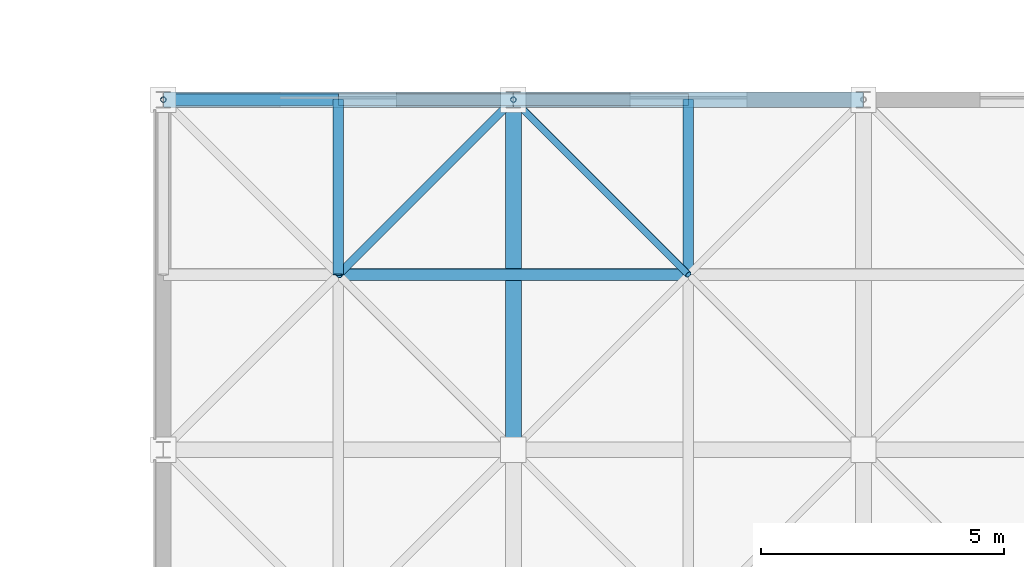
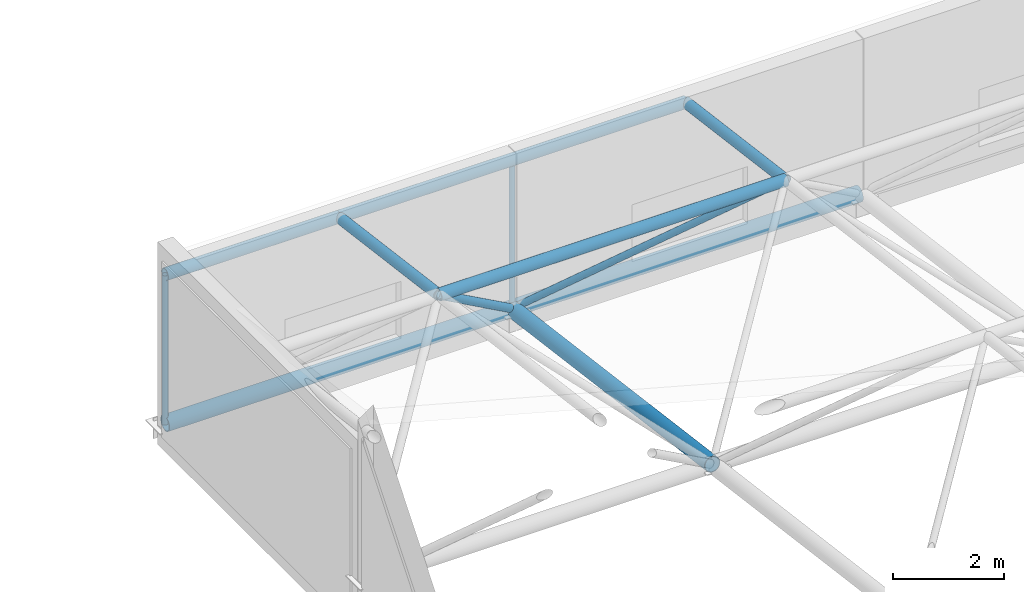
# One storey, part 39 of 103: 12 members.
"""IFC4 building model written with IfcOpenShell, lengths in metres."""

from ifc_helpers import new_model, si_unit, direction, frame, origin, origin_2d, place, context, subcontext, project, spatial, hollow_circle, extrude, material, material_profile, profile_set, type_object, element, save


model = new_model("IFC4")

# Units and contexts
model_context = context("Model", 3, precision=1e-05, world=origin(), true_north=direction((0.0, 1.0)))
body_context = subcontext(model_context, "Body", "Model", "MODEL_VIEW")
ifc_project = project(units=[si_unit("LENGTHUNIT", "METRE"), si_unit("AREAUNIT", "SQUARE_METRE"), si_unit("VOLUMEUNIT", "CUBIC_METRE"), si_unit("PLANEANGLEUNIT", "RADIAN"), si_unit("MASSUNIT", "GRAM", prefix="KILO")], contexts=[model_context])

# Site, building, storey
site_placement = place(None, origin())
site = spatial("IfcSite", under=ifc_project, at=site_placement, CompositionType="ELEMENT")
building_placement = place(site_placement, origin())
building = spatial("IfcBuilding", under=site, at=building_placement, Name="Thalmaran Polytechnic", CompositionType="ELEMENT")
storey_placement = place(building_placement, frame((0.0, 0.0, 14.39990234375)))
storey = spatial("IfcBuildingStorey", under=building, at=storey_placement, Name="L03", CompositionType="ELEMENT", Elevation=14.39990234375)

# Members
ifc_material = material(Name="Steel S355", Category="steel")
ifc_material_profile_1 = material_profile(ifc_material, hollow_circle(Radius=0.161865234375, WallThickness=0.012451171875, at=origin_2d()), Name="CHS 323.9x12.5")
ifc_profile_set_1 = profile_set([ifc_material_profile_1], Name="Steel S355")
member_type_1 = type_object("IfcMemberType", Name="MB-SFC0", PredefinedType="CHORD", material=ifc_profile_set_1)
for number, where, z_axis, x_axis, name in (
    (1, (108.0, 50.39990234375, 0.380126953125), (1.0, 0.0, 0.0), (0.0, 1.0, 0.0), "Space-Frame Bottom Chord X (0,8)"),
    (2, (115.199951171875, 50.39990234375, 0.380126953125), (1.0, 0.0, 0.0), (0.0, 1.0, 0.0), "Space-Frame Bottom Chord X (1,8)"),
):
    element("IfcMember", number, at=place(storey_placement, frame(where, z_axis=z_axis, x_axis=x_axis)), inside=storey, type_object=member_type_1, Name=name, PredefinedType="CHORD", context=body_context, shape_type="SweptSolid", body=[
        extrude(hollow_circle(Radius=0.161865234375, WallThickness=0.012451171875, at=origin_2d()), origin(), (0.0, 0.0, 1.0), 7.199951171875),
    ])
ifc_material_profile_2 = material_profile(ifc_material, hollow_circle(Radius=0.122314453125, WallThickness=0.010009765625, at=origin_2d()), Name="CHS 244.5x10.0")
ifc_profile_set_2 = profile_set([ifc_material_profile_2], Name="Steel S355")
member_type_2 = type_object("IfcMemberType", Name="MB-SFC1", PredefinedType="CHORD", material=ifc_profile_set_2)
member_1_placement = place(storey_placement, frame((108.0, 50.39990234375, 3.650146484375), z_axis=(1.0, 0.0, 0.0), x_axis=(0.0, 1.0, 0.0)))
element("IfcMember", 3, at=member_1_placement, inside=storey, type_object=member_type_2, Name="Space-Frame Top Chord X (0,9)", PredefinedType="CHORD", context=body_context, shape_type="SweptSolid", body=[
    extrude(hollow_circle(Radius=0.122314453125, WallThickness=0.010009765625, at=origin_2d()), origin(), (0.0, 0.0, 1.0), 3.60009765625),
])
for number, where, z_axis, x_axis, name in (
    (4, (111.60009765625, 46.800048828125, 4.1240234375), (1.0, 0.0, 0.0), (0.0, 1.0, 0.0), "Space-Frame Top Chord X (1,8)"),
    (5, (111.60009765625, 50.39990234375, 3.650146484375), (1.0, 0.0, 0.0), (0.0, 1.0, 0.0), "Space-Frame Top Chord X (1,9)"),
):
    element("IfcMember", number, at=place(storey_placement, frame(where, z_axis=z_axis, x_axis=x_axis)), inside=storey, type_object=member_type_2, Name=name, PredefinedType="CHORD", context=body_context, shape_type="SweptSolid", body=[
        extrude(hollow_circle(Radius=0.122314453125, WallThickness=0.010009765625, at=origin_2d()), origin(), (0.0, 0.0, 1.0), 7.199951171875),
    ])
ifc_material_profile_3 = material_profile(ifc_material, hollow_circle(Radius=0.109619140625, WallThickness=0.010009765625, at=origin_2d()), Name="CHS 219.1x10.0")
ifc_profile_set_3 = profile_set([ifc_material_profile_3], Name="Steel S355")
member_type_3 = type_object("IfcMemberType", Name="MB-SFC2", PredefinedType="CHORD", material=ifc_profile_set_3)
for number, where, z_axis, x_axis, name in (
    (6, (111.60009765625, 46.800048828125, 4.1240234375), (0.0, 0.99144674145, -0.130511910828), (-1.0, 0.0, 0.0), "Space-Frame Top Chord Y (1,8)"),
    (7, (118.800048828125, 46.800048828125, 4.1240234375), (0.0, 0.99144674145, -0.130511910828), (-1.0, 0.0, 0.0), "Space-Frame Top Chord Y (2,8)"),
):
    element("IfcMember", number, at=place(storey_placement, frame(where, z_axis=z_axis, x_axis=x_axis)), inside=storey, type_object=member_type_3, Name=name, PredefinedType="CHORD", context=body_context, shape_type="SweptSolid", body=[
        extrude(hollow_circle(Radius=0.109619140625, WallThickness=0.010009765625, at=origin_2d()), origin(), (0.0, 0.0, 1.0), 3.630859375),
    ])
ifc_material_profile_4 = material_profile(ifc_material, hollow_circle(Radius=0.161865234375, WallThickness=0.012451171875, at=origin_2d()), Name="CHS 323.9x12.5")
ifc_profile_set_4 = profile_set([ifc_material_profile_4], Name="Steel S355")
member_type_4 = type_object("IfcMemberType", Name="MB-SFC4", PredefinedType="CHORD", material=ifc_profile_set_4)
member_2_placement = place(storey_placement, frame((115.199951171875, 43.199951171875, 1.327880859375), z_axis=(0.0, 0.991447314079, -0.130507560722), x_axis=(-1.0, 0.0, 0.0)))
element("IfcMember", 8, at=member_2_placement, inside=storey, type_object=member_type_4, Name="Space-Frame Bottom Chord Y (1,7)", PredefinedType="CHORD", context=body_context, shape_type="SweptSolid", body=[
    extrude(hollow_circle(Radius=0.161865234375, WallThickness=0.012451171875, at=origin_2d()), origin(), (0.0, 0.0, 1.0), 7.261962890625),
])
ifc_material_profile_5 = material_profile(ifc_material, hollow_circle(Radius=0.084228515625, WallThickness=0.008056640625, at=origin_2d()), Name="CHS 168.3x8.0")
ifc_profile_set_5 = profile_set([ifc_material_profile_5], Name="Steel S355")
member_type_5 = type_object("IfcMemberType", Name="MB-SFD1", PredefinedType="BRACE", material=ifc_profile_set_5)
member_3_placement = place(storey_placement, frame((115.199951171875, 50.39990234375, 0.380126953125), z_axis=(-0.569652331509, -0.569652331509, 0.592446151488), x_axis=(0.707106781187, -0.707106781187, 0.0)))
element("IfcMember", 9, at=member_3_placement, inside=storey, type_object=member_type_5, Name="Space-Frame Web Diagonal (0,7)-4", PredefinedType="BRACE", context=body_context, shape_type="SweptSolid", body=[
    extrude(hollow_circle(Radius=0.084228515625, WallThickness=0.008056640625, at=origin_2d()), origin(), (0.0, 0.0, 1.0), 6.3193359375),
])
ifc_material_profile_6 = material_profile(ifc_material, hollow_circle(Radius=0.06982421875, WallThickness=0.008056640625, at=origin_2d()), Name="CHS 139.7x8.0")
ifc_profile_set_6 = profile_set([ifc_material_profile_6], Name="Steel S355")
member_type_6 = type_object("IfcMemberType", Name="MB-SFD2", PredefinedType="BRACE", material=ifc_profile_set_6)
member_4_placement = place(storey_placement, frame((115.199951171875, 50.39990234375, 0.380126953125), z_axis=(0.569678427494, -0.569639794751, 0.592433113089), x_axis=(0.707082803744, 0.707130757816, 0.0)))
element("IfcMember", 10, at=member_4_placement, inside=storey, type_object=member_type_6, Name="Space-Frame Web Diagonal (1,7)-3", PredefinedType="BRACE", context=body_context, shape_type="SweptSolid", body=[
    extrude(hollow_circle(Radius=0.06982421875, WallThickness=0.008056640625, at=origin_2d()), origin(), (0.0, 0.0, 1.0), 6.319580078125),
])
ifc_material_profile_7 = material_profile(ifc_material, hollow_circle(Radius=0.05712890625, WallThickness=0.00634765625, at=origin_2d()), Name="CHS 114.3x6.3")
ifc_profile_set_7 = profile_set([ifc_material_profile_7], Name="Steel S355")
member_type_7 = type_object("IfcMemberType", Name="MB-SFD3", PredefinedType="BRACE", material=ifc_profile_set_7)
for number, where, z_axis, x_axis, name in (
    (11, (108.0, 50.39990234375, 0.380126953125), (0.0, 0.0, 1.0), (1.0, 0.0, 0.0), "Space-Frame Eave Post (0,8)"),
    (12, (115.199951171875, 50.39990234375, 0.380126953125), (0.0, 0.0, 1.0), (1.0, 0.0, 0.0), "Space-Frame Eave Post (1,8)"),
):
    element("IfcMember", number, at=place(storey_placement, frame(where, z_axis=z_axis, x_axis=x_axis)), inside=storey, type_object=member_type_7, Name=name, PredefinedType="BRACE", context=body_context, shape_type="SweptSolid", body=[
        extrude(hollow_circle(Radius=0.05712890625, WallThickness=0.00634765625, at=origin_2d()), origin(), (0.0, 0.0, 1.0), 3.27001953125),
    ])

save(model, "model.ifc")
